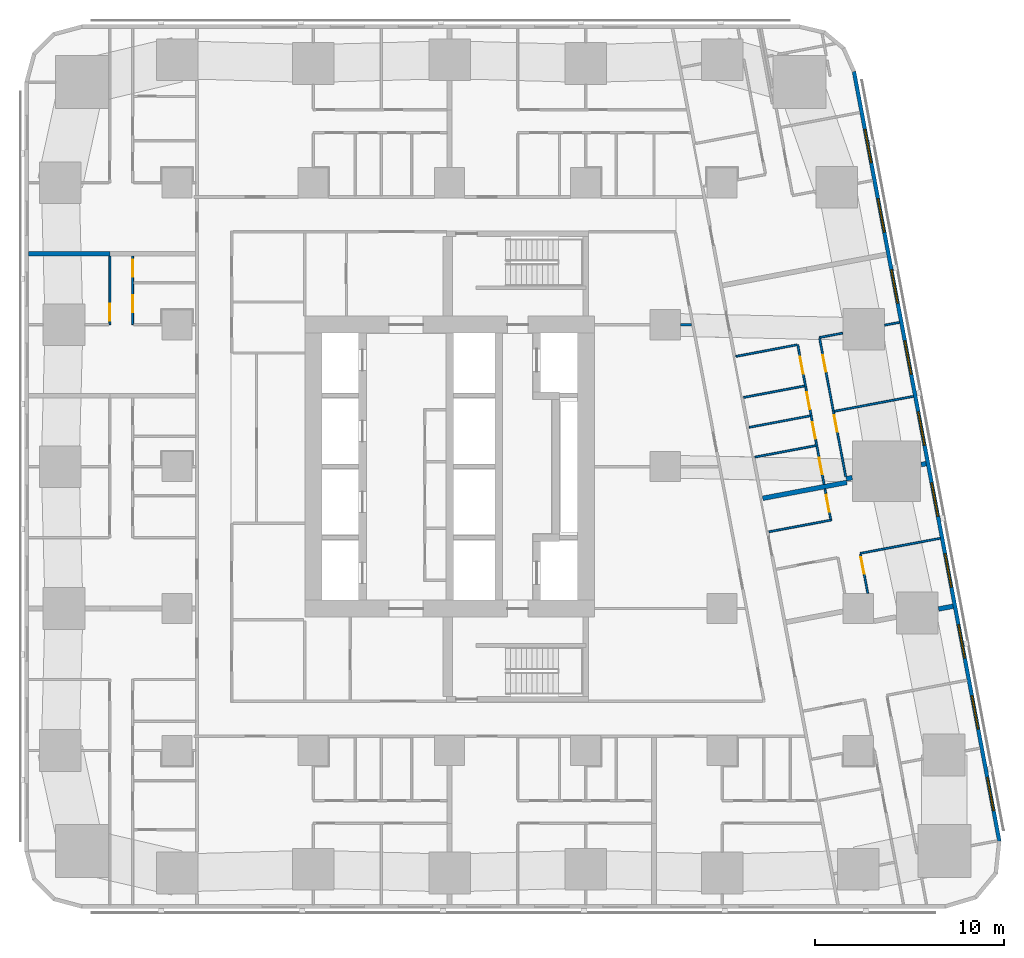
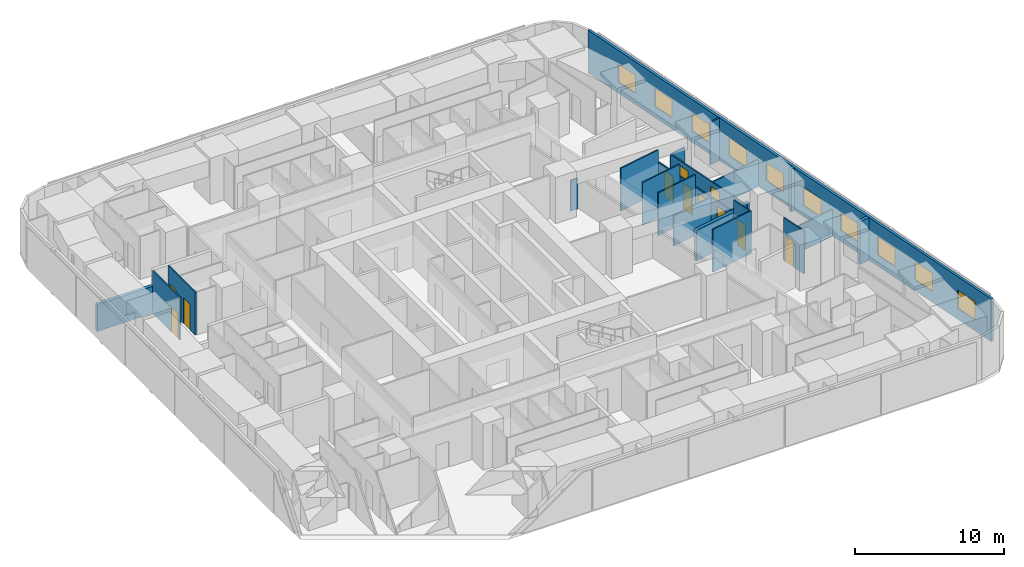
# One storey, part 7 of 15: 22 walls, 11 doors, 10 windows, 21 openings.
"""IFC4 building model written with IfcOpenShell, lengths in metres."""

from ifc_helpers import new_model, si_unit, direction, frame, frame_2d, origin, place, context, subcontext, project, spatial, rectangle, extrude, material, layer, layer_set, type_object, element, fill, save


model = new_model("IFC4")

# Units and contexts
model_context = context("Model", 3, precision=1e-05, world=origin(), true_north=direction((0.0, 1.0)))
body_context = subcontext(model_context, "Body", "Model", "MODEL_VIEW")
ifc_project = project(units=[si_unit("LENGTHUNIT", "METRE"), si_unit("AREAUNIT", "SQUARE_METRE"), si_unit("VOLUMEUNIT", "CUBIC_METRE"), si_unit("PLANEANGLEUNIT", "RADIAN"), si_unit("MASSUNIT", "GRAM", prefix="KILO")], contexts=[model_context])

# Site, building, storey
site_placement = place(None, origin())
site = spatial("IfcSite", under=ifc_project, at=site_placement, CompositionType="ELEMENT")
building_placement = place(site_placement, origin())
building = spatial("IfcBuilding", under=site, at=building_placement, Name="Sheger Commons Tower", CompositionType="ELEMENT")
storey_placement = place(building_placement, frame((0.0, 0.0, 104.14990234375)))
storey = spatial("IfcBuildingStorey", under=building, at=storey_placement, Name="L26", CompositionType="ELEMENT", Elevation=104.14990234375)

# Walls
ifc_material_1 = material(Name="Dense concrete block masonry, plastered both sides (separating wall between flats)", Category="masonry")
ifc_layer_1 = layer(ifc_material_1, 0.25)
ifc_layer_set_1 = layer_set([ifc_layer_1], Name="DEMISING WALL 250")
wall_type_1 = type_object("IfcWallType", Name="DEMISING WALL 250", PredefinedType="SOLIDWALL", material=ifc_layer_set_1)
wall_1_placement = place(storey_placement, frame((-0.64990234375, 33.75, 0.0), z_axis=(0.0, 0.0, 1.0), x_axis=(1.0, 0.0, 0.0)))
element("IfcWall", 1, at=wall_1_placement, inside=storey, type_object=wall_type_1, Name="Demising wall L26", PredefinedType="SOLIDWALL", context=body_context, shape_type="SweptSolid", body=[
    extrude(rectangle(XDim=4.2998046875, YDim=0.25, at=frame_2d((2.14990234375, 0.0))), origin(), (0.0, 0.0, 1.0), 2.2001953125),
])
wall_2_placement = place(storey_placement, frame((46.781982421875, 22.656982421875, 0.0), z_axis=(0.0, 0.0, 1.0), x_axis=(-0.982104607121, -0.188336243648, 0.0)))
element("IfcWall", 2, at=wall_2_placement, inside=storey, type_object=wall_type_1, Name="Demising wall L26", PredefinedType="SOLIDWALL", context=body_context, shape_type="SweptSolid", body=[
    extrude(rectangle(XDim=0.265625, YDim=0.25, at=frame_2d((0.1328125, 0.0))), origin(), (0.0, 0.0, 1.0), 3.5),
])
wall_3_placement = place(storey_placement, frame((42.873046875, 21.91796875, 0.0), z_axis=(0.0, 0.0, 1.0), x_axis=(-0.982431406936, -0.186624035603, 0.0)))
element("IfcWall", 3, at=wall_3_placement, inside=storey, type_object=wall_type_1, Name="Demising wall L26", PredefinedType="SOLIDWALL", context=body_context, shape_type="SweptSolid", body=[
    extrude(rectangle(XDim=0.32177734375, YDim=0.25, at=frame_2d((0.160888671875, 0.0))), origin(), (0.0, 0.0, 1.0), 2.5),
])
wall_4_placement = place(storey_placement, frame((42.593017578125, 21.6650390625, 0.0), z_axis=(0.0, 0.0, 1.0), x_axis=(-0.982612837616, -0.185666398014, 0.0)))
element("IfcWall", 4, at=wall_4_placement, inside=storey, type_object=wall_type_1, Name="Demising wall L26", PredefinedType="SOLIDWALL", context=body_context, shape_type="SweptSolid", body=[
    extrude(rectangle(XDim=4.524658203125, YDim=0.25, at=frame_2d((2.26220703125, 0.0))), origin(), (0.0, 0.0, 1.0), 2.5),
])
wall_5_placement = place(storey_placement, frame((48.2060546875, 15.1201171875, 0.0), z_axis=(0.0, 0.0, 1.0), x_axis=(-0.982638023929, -0.185533053469, 0.0)))
element("IfcWall", 5, at=wall_5_placement, inside=storey, type_object=wall_type_1, Name="Demising wall L26", PredefinedType="SOLIDWALL", context=body_context, shape_type="SweptSolid", body=[
    extrude(rectangle(XDim=0.78173828125, YDim=0.25, at=frame_2d((0.390869140625, 0.0))), origin(), (0.0, 0.0, 1.0), 3.5),
])

# Wall, openings, windows
ifc_material_2 = material(Name="Rendered concrete block masonry, dark grey", Category="masonry")
ifc_layer_2 = layer(ifc_material_2, 0.199951171875)
ifc_layer_set_2 = layer_set([ifc_layer_2], Name="FACADE WALL 200")
wall_type_2 = type_object("IfcWallType", Name="FACADE WALL 200", PredefinedType="SOLIDWALL", material=ifc_layer_set_2)
wall_6_placement = place(storey_placement, frame((50.653076171875, 2.702880859375, 0.0), z_axis=(0.0, 0.0, 1.0), x_axis=(-0.185612026696, 0.982623109613, 0.0)))
wall_6 = element("IfcWall", 6, at=wall_6_placement, inside=storey, type_object=wall_type_2, Name="Facade wall L26", PredefinedType="SOLIDWALL", context=body_context, shape_type="SweptSolid", body=[
    extrude(rectangle(XDim=41.393310546875, YDim=0.199951171875, at=frame_2d((20.69677734375, 0.0))), origin(), (0.0, 0.0, 1.0), 3.5),
])
opening_1_placement = place(wall_6_placement, frame((1.633056640625, 0.0, 0.89990234375)))
opening_1 = element("IfcOpeningElement", 7, at=opening_1_placement, cuts=wall_6, Name="Opening W2", PredefinedType="OPENING", context=body_context, shape_type="SweptSolid", body=[
    extrude(rectangle(XDim=1.800048828125, YDim=1.5, at=frame_2d((0.89990234375, 0.75))), frame((0.0, 0.10986328125, 0.0), z_axis=(0.0, -1.0, 0.0), x_axis=(1.0, 0.0, 0.0)), (0.0, 0.0, 1.0), 0.219970703125),
])
opening_2_placement = place(wall_6_placement, frame((6.031982421875, 0.0, 0.89990234375)))
opening_2 = element("IfcOpeningElement", 8, at=opening_2_placement, cuts=wall_6, Name="Opening W2", PredefinedType="OPENING", context=body_context, shape_type="SweptSolid", body=[
    extrude(rectangle(XDim=1.800048828125, YDim=1.5, at=frame_2d((0.89990234375, 0.75))), frame((0.0, 0.10986328125, 0.0), z_axis=(0.0, -1.0, 0.0), x_axis=(1.0, 0.0, 0.0)), (0.0, 0.0, 1.0), 0.219970703125),
])
opening_3_placement = place(wall_6_placement, frame((9.847900390625, 0.0, 0.89990234375)))
opening_3 = element("IfcOpeningElement", 9, at=opening_3_placement, cuts=wall_6, Name="Opening W2", PredefinedType="OPENING", context=body_context, shape_type="SweptSolid", body=[
    extrude(rectangle(XDim=1.800048828125, YDim=1.5, at=frame_2d((0.89990234375, 0.75))), frame((0.0, 0.10986328125, 0.0), z_axis=(0.0, -1.0, 0.0), x_axis=(1.0, 0.0, 0.0)), (0.0, 0.0, 1.0), 0.219970703125),
])
opening_4_placement = place(wall_6_placement, frame((13.6640625, 0.0, 0.89990234375)))
opening_4 = element("IfcOpeningElement", 10, at=opening_4_placement, cuts=wall_6, Name="Opening W2", PredefinedType="OPENING", context=body_context, shape_type="SweptSolid", body=[
    extrude(rectangle(XDim=1.800048828125, YDim=1.5, at=frame_2d((0.89990234375, 0.75))), frame((0.0, 0.10986328125, 0.0), z_axis=(0.0, -1.0, 0.0), x_axis=(1.0, 0.0, 0.0)), (0.0, 0.0, 1.0), 0.219970703125),
])
opening_5_placement = place(wall_6_placement, frame((17.48095703125, 0.0, 0.89990234375)))
opening_5 = element("IfcOpeningElement", 11, at=opening_5_placement, cuts=wall_6, Name="Opening W2", PredefinedType="OPENING", context=body_context, shape_type="SweptSolid", body=[
    extrude(rectangle(XDim=1.800048828125, YDim=1.5, at=frame_2d((0.89990234375, 0.75))), frame((0.0, 0.10986328125, 0.0), z_axis=(0.0, -1.0, 0.0), x_axis=(1.0, 0.0, 0.0)), (0.0, 0.0, 1.0), 0.219970703125),
])
opening_6_placement = place(wall_6_placement, frame((21.297119140625, 0.0, 0.89990234375)))
opening_6 = element("IfcOpeningElement", 12, at=opening_6_placement, cuts=wall_6, Name="Opening W2", PredefinedType="OPENING", context=body_context, shape_type="SweptSolid", body=[
    extrude(rectangle(XDim=1.800048828125, YDim=1.5, at=frame_2d((0.89990234375, 0.75))), frame((0.0, 0.10986328125, 0.0), z_axis=(0.0, -1.0, 0.0), x_axis=(1.0, 0.0, 0.0)), (0.0, 0.0, 1.0), 0.219970703125),
])
opening_7_placement = place(wall_6_placement, frame((25.113037109375, 0.0, 0.89990234375)))
opening_7 = element("IfcOpeningElement", 13, at=opening_7_placement, cuts=wall_6, Name="Opening W2", PredefinedType="OPENING", context=body_context, shape_type="SweptSolid", body=[
    extrude(rectangle(XDim=1.800048828125, YDim=1.5, at=frame_2d((0.89990234375, 0.75))), frame((0.0, 0.10986328125, 0.0), z_axis=(0.0, -1.0, 0.0), x_axis=(1.0, 0.0, 0.0)), (0.0, 0.0, 1.0), 0.219970703125),
])
opening_8_placement = place(wall_6_placement, frame((28.929931640625, 0.0, 0.89990234375)))
opening_8 = element("IfcOpeningElement", 14, at=opening_8_placement, cuts=wall_6, Name="Opening W2", PredefinedType="OPENING", context=body_context, shape_type="SweptSolid", body=[
    extrude(rectangle(XDim=1.800048828125, YDim=1.5, at=frame_2d((0.89990234375, 0.75))), frame((0.0, 0.10986328125, 0.0), z_axis=(0.0, -1.0, 0.0), x_axis=(1.0, 0.0, 0.0)), (0.0, 0.0, 1.0), 0.219970703125),
])
opening_9_placement = place(wall_6_placement, frame((32.74609375, 0.0, 0.89990234375)))
opening_9 = element("IfcOpeningElement", 15, at=opening_9_placement, cuts=wall_6, Name="Opening W2", PredefinedType="OPENING", context=body_context, shape_type="SweptSolid", body=[
    extrude(rectangle(XDim=1.800048828125, YDim=1.5, at=frame_2d((0.89990234375, 0.75))), frame((0.0, 0.10986328125, 0.0), z_axis=(0.0, -1.0, 0.0), x_axis=(1.0, 0.0, 0.0)), (0.0, 0.0, 1.0), 0.219970703125),
])
opening_10_placement = place(wall_6_placement, frame((36.48095703125, 0.0, 0.89990234375)))
opening_10 = element("IfcOpeningElement", 16, at=opening_10_placement, cuts=wall_6, Name="Opening W2", PredefinedType="OPENING", context=body_context, shape_type="SweptSolid", body=[
    extrude(rectangle(XDim=1.800048828125, YDim=1.5, at=frame_2d((0.89990234375, 0.75))), frame((0.0, 0.10986328125, 0.0), z_axis=(0.0, -1.0, 0.0), x_axis=(1.0, 0.0, 0.0)), (0.0, 0.0, 1.0), 0.219970703125),
])
ifc_material_3 = material(Name="Black aluminium frame, dark tinted double glazing", Category="aluminium")
window_type = type_object("IfcWindowType", Name="WINDOW W2 1800x1500", PartitioningType="SINGLE_PANEL", PredefinedType="WINDOW", material=ifc_material_3)
window_1_placement = place(opening_1_placement, origin())
window_1 = element("IfcWindow", 17, at=window_1_placement, inside=storey, type_object=window_type, Name="Window W2 1800X1500", OverallHeight=1.5, OverallWidth=1.800048828125, PartitioningType="SINGLE_PANEL", PredefinedType="WINDOW", context=body_context, shape_type="SweptSolid", body=[
    extrude(rectangle(XDim=1.800048828125, YDim=1.5, at=frame_2d((0.89990234375, 0.75))), frame((0.0, 0.030029296875, 0.0), z_axis=(0.0, -1.0, 0.0), x_axis=(1.0, 0.0, 0.0)), (0.0, 0.0, 1.0), 0.06005859375),
])
fill(opening_1, window_1)
window_2_placement = place(opening_2_placement, origin())
window_2 = element("IfcWindow", 18, at=window_2_placement, inside=storey, type_object=window_type, Name="Window W2 1800X1500", OverallHeight=1.5, OverallWidth=1.800048828125, PartitioningType="SINGLE_PANEL", PredefinedType="WINDOW", context=body_context, shape_type="SweptSolid", body=[
    extrude(rectangle(XDim=1.800048828125, YDim=1.5, at=frame_2d((0.89990234375, 0.75))), frame((0.0, 0.030029296875, 0.0), z_axis=(0.0, -1.0, 0.0), x_axis=(1.0, 0.0, 0.0)), (0.0, 0.0, 1.0), 0.06005859375),
])
fill(opening_2, window_2)
window_3_placement = place(opening_3_placement, origin())
window_3 = element("IfcWindow", 19, at=window_3_placement, inside=storey, type_object=window_type, Name="Window W2 1800X1500", OverallHeight=1.5, OverallWidth=1.800048828125, PartitioningType="SINGLE_PANEL", PredefinedType="WINDOW", context=body_context, shape_type="SweptSolid", body=[
    extrude(rectangle(XDim=1.800048828125, YDim=1.5, at=frame_2d((0.89990234375, 0.75))), frame((0.0, 0.030029296875, 0.0), z_axis=(0.0, -1.0, 0.0), x_axis=(1.0, 0.0, 0.0)), (0.0, 0.0, 1.0), 0.06005859375),
])
fill(opening_3, window_3)
window_4_placement = place(opening_4_placement, origin())
window_4 = element("IfcWindow", 20, at=window_4_placement, inside=storey, type_object=window_type, Name="Window W2 1800X1500", OverallHeight=1.5, OverallWidth=1.800048828125, PartitioningType="SINGLE_PANEL", PredefinedType="WINDOW", context=body_context, shape_type="SweptSolid", body=[
    extrude(rectangle(XDim=1.800048828125, YDim=1.5, at=frame_2d((0.89990234375, 0.75))), frame((0.0, 0.030029296875, 0.0), z_axis=(0.0, -1.0, 0.0), x_axis=(1.0, 0.0, 0.0)), (0.0, 0.0, 1.0), 0.06005859375),
])
fill(opening_4, window_4)
window_5_placement = place(opening_5_placement, origin())
window_5 = element("IfcWindow", 21, at=window_5_placement, inside=storey, type_object=window_type, Name="Window W2 1800X1500", OverallHeight=1.5, OverallWidth=1.800048828125, PartitioningType="SINGLE_PANEL", PredefinedType="WINDOW", context=body_context, shape_type="SweptSolid", body=[
    extrude(rectangle(XDim=1.800048828125, YDim=1.5, at=frame_2d((0.89990234375, 0.75))), frame((0.0, 0.030029296875, 0.0), z_axis=(0.0, -1.0, 0.0), x_axis=(1.0, 0.0, 0.0)), (0.0, 0.0, 1.0), 0.06005859375),
])
fill(opening_5, window_5)
window_6_placement = place(opening_6_placement, origin())
window_6 = element("IfcWindow", 22, at=window_6_placement, inside=storey, type_object=window_type, Name="Window W2 1800X1500", OverallHeight=1.5, OverallWidth=1.800048828125, PartitioningType="SINGLE_PANEL", PredefinedType="WINDOW", context=body_context, shape_type="SweptSolid", body=[
    extrude(rectangle(XDim=1.800048828125, YDim=1.5, at=frame_2d((0.89990234375, 0.75))), frame((0.0, 0.030029296875, 0.0), z_axis=(0.0, -1.0, 0.0), x_axis=(1.0, 0.0, 0.0)), (0.0, 0.0, 1.0), 0.06005859375),
])
fill(opening_6, window_6)
window_7_placement = place(opening_7_placement, origin())
window_7 = element("IfcWindow", 23, at=window_7_placement, inside=storey, type_object=window_type, Name="Window W2 1800X1500", OverallHeight=1.5, OverallWidth=1.800048828125, PartitioningType="SINGLE_PANEL", PredefinedType="WINDOW", context=body_context, shape_type="SweptSolid", body=[
    extrude(rectangle(XDim=1.800048828125, YDim=1.5, at=frame_2d((0.89990234375, 0.75))), frame((0.0, 0.030029296875, 0.0), z_axis=(0.0, -1.0, 0.0), x_axis=(1.0, 0.0, 0.0)), (0.0, 0.0, 1.0), 0.06005859375),
])
fill(opening_7, window_7)
window_8_placement = place(opening_8_placement, origin())
window_8 = element("IfcWindow", 24, at=window_8_placement, inside=storey, type_object=window_type, Name="Window W2 1800X1500", OverallHeight=1.5, OverallWidth=1.800048828125, PartitioningType="SINGLE_PANEL", PredefinedType="WINDOW", context=body_context, shape_type="SweptSolid", body=[
    extrude(rectangle(XDim=1.800048828125, YDim=1.5, at=frame_2d((0.89990234375, 0.75))), frame((0.0, 0.030029296875, 0.0), z_axis=(0.0, -1.0, 0.0), x_axis=(1.0, 0.0, 0.0)), (0.0, 0.0, 1.0), 0.06005859375),
])
fill(opening_8, window_8)
window_9_placement = place(opening_9_placement, origin())
window_9 = element("IfcWindow", 25, at=window_9_placement, inside=storey, type_object=window_type, Name="Window W2 1800X1500", OverallHeight=1.5, OverallWidth=1.800048828125, PartitioningType="SINGLE_PANEL", PredefinedType="WINDOW", context=body_context, shape_type="SweptSolid", body=[
    extrude(rectangle(XDim=1.800048828125, YDim=1.5, at=frame_2d((0.89990234375, 0.75))), frame((0.0, 0.030029296875, 0.0), z_axis=(0.0, -1.0, 0.0), x_axis=(1.0, 0.0, 0.0)), (0.0, 0.0, 1.0), 0.06005859375),
])
fill(opening_9, window_9)
window_10_placement = place(opening_10_placement, origin())
window_10 = element("IfcWindow", 26, at=window_10_placement, inside=storey, type_object=window_type, Name="Window W2 1800X1500", OverallHeight=1.5, OverallWidth=1.800048828125, PartitioningType="SINGLE_PANEL", PredefinedType="WINDOW", context=body_context, shape_type="SweptSolid", body=[
    extrude(rectangle(XDim=1.800048828125, YDim=1.5, at=frame_2d((0.89990234375, 0.75))), frame((0.0, 0.030029296875, 0.0), z_axis=(0.0, -1.0, 0.0), x_axis=(1.0, 0.0, 0.0)), (0.0, 0.0, 1.0), 0.06005859375),
])
fill(opening_10, window_10)

# Wall, opening, door
ifc_material_4 = material(Name="Gypsum board on steel studs", Category="steel")
ifc_layer_3 = layer(ifc_material_4, 0.10009765625)
ifc_layer_set_3 = layer_set([ifc_layer_3], Name="PARTITION 100")
wall_type_3 = type_object("IfcWallType", Name="PARTITION 100", PredefinedType="PARTITIONING", material=ifc_layer_set_3)
wall_7_placement = place(storey_placement, frame((3.64990234375, 30.0, 0.0), z_axis=(0.0, 0.0, 1.0), x_axis=(0.0, 1.0, 0.0)))
wall_7 = element("IfcWall", 27, at=wall_7_placement, inside=storey, type_object=wall_type_3, Name="Partition L26", PredefinedType="PARTITIONING", context=body_context, shape_type="SweptSolid", body=[
    extrude(rectangle(XDim=3.625, YDim=0.10009765625, at=frame_2d((1.8125, 0.0))), origin(), (0.0, 0.0, 1.0), 3.5),
])
opening_11_placement = place(wall_7_placement, frame((0.199951171875, 0.0, 0.0)))
opening_11 = element("IfcOpeningElement", 28, at=opening_11_placement, cuts=wall_7, Name="Opening D2", PredefinedType="OPENING", context=body_context, shape_type="SweptSolid", body=[
    extrude(rectangle(XDim=0.89990234375, YDim=2.10009765625, at=frame_2d((0.449951171875, 1.050048828125))), frame((0.0, 0.06005859375, 0.0), z_axis=(0.0, -1.0, 0.0), x_axis=(1.0, 0.0, 0.0)), (0.0, 0.0, 1.0), 0.1201171875),
])
ifc_material_5 = material(Name="Timber door set", Category="wood")
door_type = type_object("IfcDoorType", Name="INTERNAL DOOR 900x2100", OperationType="NOTDEFINED", PredefinedType="DOOR", material=ifc_material_5)
door_1_placement = place(opening_11_placement, origin())
door_1 = element("IfcDoor", 29, at=door_1_placement, inside=storey, type_object=door_type, Name="Main bedroom door", OperationType="SINGLE_SWING_LEFT", OverallHeight=2.10009765625, OverallWidth=0.89990234375, PredefinedType="DOOR", context=body_context, shape_type="SweptSolid", body=[
    extrude(rectangle(XDim=0.89990234375, YDim=2.10009765625, at=frame_2d((0.449951171875, 1.050048828125))), frame((0.0, 0.02490234375, 0.0), z_axis=(0.0, -1.0, 0.0), x_axis=(1.0, 0.0, 0.0)), (0.0, 0.0, 1.0), 0.050048828125),
])
fill(opening_11, door_1)

# Wall, openings, doors
wall_8_placement = place(storey_placement, frame((4.85009765625, 30.0, 0.0), z_axis=(0.0, 0.0, 1.0), x_axis=(0.0, 1.0, 0.0)))
wall_8 = element("IfcWall", 30, at=wall_8_placement, inside=storey, type_object=wall_type_3, Name="Partition L26", PredefinedType="PARTITIONING", context=body_context, shape_type="SweptSolid", body=[
    extrude(rectangle(XDim=3.625, YDim=0.10009765625, at=frame_2d((1.8125, 0.0))), origin(), (0.0, 0.0, 1.0), 3.5),
])
opening_12_placement = place(wall_8_placement, frame((0.655029296875, 0.0, 0.0)))
opening_12 = element("IfcOpeningElement", 31, at=opening_12_placement, cuts=wall_8, Name="Opening D2", PredefinedType="OPENING", context=body_context, shape_type="SweptSolid", body=[
    extrude(rectangle(XDim=0.89990234375, YDim=2.10009765625, at=frame_2d((0.449951171875, 1.050048828125))), frame((0.0, 0.06005859375, 0.0), z_axis=(0.0, -1.0, 0.0), x_axis=(1.0, 0.0, 0.0)), (0.0, 0.0, 1.0), 0.1201171875),
])
opening_13_placement = place(wall_8_placement, frame((2.530029296875, 0.0, 0.0)))
opening_13 = element("IfcOpeningElement", 32, at=opening_13_placement, cuts=wall_8, Name="Opening D2", PredefinedType="OPENING", context=body_context, shape_type="SweptSolid", body=[
    extrude(rectangle(XDim=0.89990234375, YDim=2.10009765625, at=frame_2d((0.449951171875, 1.050048828125))), frame((0.0, 0.06005859375, 0.0), z_axis=(0.0, -1.0, 0.0), x_axis=(1.0, 0.0, 0.0)), (0.0, 0.0, 1.0), 0.1201171875),
])
door_2_placement = place(opening_12_placement, origin())
door_2 = element("IfcDoor", 33, at=door_2_placement, inside=storey, type_object=door_type, Name="Bathroom door", OperationType="SINGLE_SWING_RIGHT", OverallHeight=2.10009765625, OverallWidth=0.89990234375, PredefinedType="DOOR", context=body_context, shape_type="SweptSolid", body=[
    extrude(rectangle(XDim=0.89990234375, YDim=2.10009765625, at=frame_2d((0.449951171875, 1.050048828125))), frame((0.0, 0.02490234375, 0.0), z_axis=(0.0, -1.0, 0.0), x_axis=(1.0, 0.0, 0.0)), (0.0, 0.0, 1.0), 0.050048828125),
])
fill(opening_12, door_2)
door_3_placement = place(opening_13_placement, origin())
door_3 = element("IfcDoor", 34, at=door_3_placement, inside=storey, type_object=door_type, Name="Store door", OperationType="SINGLE_SWING_LEFT", OverallHeight=2.10009765625, OverallWidth=0.89990234375, PredefinedType="DOOR", context=body_context, shape_type="SweptSolid", body=[
    extrude(rectangle(XDim=0.89990234375, YDim=2.10009765625, at=frame_2d((0.449951171875, 1.050048828125))), frame((0.0, 0.02490234375, 0.0), z_axis=(0.0, -1.0, 0.0), x_axis=(1.0, 0.0, 0.0)), (0.0, 0.0, 1.0), 0.050048828125),
])
fill(opening_13, door_3)

wall_9_placement = place(storey_placement, frame((41.156982421875, 29.27294921875, 0.0), z_axis=(0.0, 0.0, 1.0), x_axis=(0.18542464283, -0.982658486877, 0.0)))
wall_9 = element("IfcWall", 35, at=wall_9_placement, inside=storey, type_object=wall_type_3, Name="Partition L26", PredefinedType="PARTITIONING", context=body_context, shape_type="SweptSolid", body=[
    extrude(rectangle(XDim=7.420654296875, YDim=0.10009765625, at=frame_2d((3.71044921875, 0.0))), origin(), (0.0, 0.0, 1.0), 2.5),
])
opening_14_placement = place(wall_9_placement, frame((0.89990234375, 0.0, 0.0)))
opening_14 = element("IfcOpeningElement", 36, at=opening_14_placement, cuts=wall_9, Name="Opening D2", PredefinedType="OPENING", context=body_context, shape_type="SweptSolid", body=[
    extrude(rectangle(XDim=0.89990234375, YDim=2.10009765625, at=frame_2d((0.449951171875, 1.050048828125))), frame((0.0, 0.06005859375, 0.0), z_axis=(0.0, -1.0, 0.0), x_axis=(1.0, 0.0, 0.0)), (0.0, 0.0, 1.0), 0.1201171875),
])
opening_15_placement = place(wall_9_placement, frame((4.1259765625, 0.0, 0.0)))
opening_15 = element("IfcOpeningElement", 37, at=opening_15_placement, cuts=wall_9, Name="Opening D2", PredefinedType="OPENING", context=body_context, shape_type="SweptSolid", body=[
    extrude(rectangle(XDim=0.89990234375, YDim=2.10009765625, at=frame_2d((0.449951171875, 1.050048828125))), frame((0.0, 0.06005859375, 0.0), z_axis=(0.0, -1.0, 0.0), x_axis=(1.0, 0.0, 0.0)), (0.0, 0.0, 1.0), 0.1201171875),
])
door_4_placement = place(opening_14_placement, origin())
door_4 = element("IfcDoor", 38, at=door_4_placement, inside=storey, type_object=door_type, Name="Main bedroom door", OperationType="SINGLE_SWING_LEFT", OverallHeight=2.10009765625, OverallWidth=0.89990234375, PredefinedType="DOOR", context=body_context, shape_type="SweptSolid", body=[
    extrude(rectangle(XDim=0.89990234375, YDim=2.10009765625, at=frame_2d((0.449951171875, 1.050048828125))), frame((0.0, 0.02490234375, 0.0), z_axis=(0.0, -1.0, 0.0), x_axis=(1.0, 0.0, 0.0)), (0.0, 0.0, 1.0), 0.050048828125),
])
fill(opening_14, door_4)
door_5_placement = place(opening_15_placement, origin())
door_5 = element("IfcDoor", 39, at=door_5_placement, inside=storey, type_object=door_type, Name="Bedroom 2 door", OperationType="SINGLE_SWING_LEFT", OverallHeight=2.10009765625, OverallWidth=0.89990234375, PredefinedType="DOOR", context=body_context, shape_type="SweptSolid", body=[
    extrude(rectangle(XDim=0.89990234375, YDim=2.10009765625, at=frame_2d((0.449951171875, 1.050048828125))), frame((0.0, 0.02490234375, 0.0), z_axis=(0.0, -1.0, 0.0), x_axis=(1.0, 0.0, 0.0)), (0.0, 0.0, 1.0), 0.050048828125),
])
fill(opening_15, door_5)

wall_10_placement = place(storey_placement, frame((39.9970703125, 28.94189453125, 0.0), z_axis=(0.0, 0.0, 1.0), x_axis=(0.185686318797, -0.982609073341, 0.0)))
wall_10 = element("IfcWall", 40, at=wall_10_placement, inside=storey, type_object=wall_type_3, Name="Partition L26", PredefinedType="PARTITIONING", context=body_context, shape_type="SweptSolid", body=[
    extrude(rectangle(XDim=7.507568359375, YDim=0.10009765625, at=frame_2d((3.75390625, 0.0))), origin(), (0.0, 0.0, 1.0), 2.5),
])
opening_16_placement = place(wall_10_placement, frame((0.655029296875, 0.0, 0.0)))
opening_16 = element("IfcOpeningElement", 41, at=opening_16_placement, cuts=wall_10, Name="Opening D2", PredefinedType="OPENING", context=body_context, shape_type="SweptSolid", body=[
    extrude(rectangle(XDim=0.89990234375, YDim=2.10009765625, at=frame_2d((0.449951171875, 1.050048828125))), frame((0.0, 0.06005859375, 0.0), z_axis=(0.0, -1.0, 0.0), x_axis=(1.0, 0.0, 0.0)), (0.0, 0.0, 1.0), 0.1201171875),
])
opening_17_placement = place(wall_10_placement, frame((4.166015625, 0.0, 0.0)))
opening_17 = element("IfcOpeningElement", 42, at=opening_17_placement, cuts=wall_10, Name="Opening D2", PredefinedType="OPENING", context=body_context, shape_type="SweptSolid", body=[
    extrude(rectangle(XDim=0.89990234375, YDim=2.10009765625, at=frame_2d((0.449951171875, 1.050048828125))), frame((0.0, 0.06005859375, 0.0), z_axis=(0.0, -1.0, 0.0), x_axis=(1.0, 0.0, 0.0)), (0.0, 0.0, 1.0), 0.1201171875),
])
opening_18_placement = place(wall_10_placement, frame((2.56298828125, 0.0, 0.0)))
opening_18 = element("IfcOpeningElement", 43, at=opening_18_placement, cuts=wall_10, Name="Opening D2", PredefinedType="OPENING", context=body_context, shape_type="SweptSolid", body=[
    extrude(rectangle(XDim=0.89990234375, YDim=2.10009765625, at=frame_2d((0.449951171875, 1.050048828125))), frame((0.0, 0.06005859375, 0.0), z_axis=(0.0, -1.0, 0.0), x_axis=(1.0, 0.0, 0.0)), (0.0, 0.0, 1.0), 0.1201171875),
])
opening_19_placement = place(wall_10_placement, frame((6.073974609375, 0.0, 0.0)))
opening_19 = element("IfcOpeningElement", 44, at=opening_19_placement, cuts=wall_10, Name="Opening D2", PredefinedType="OPENING", context=body_context, shape_type="SweptSolid", body=[
    extrude(rectangle(XDim=0.89990234375, YDim=2.10009765625, at=frame_2d((0.449951171875, 1.050048828125))), frame((0.0, 0.06005859375, 0.0), z_axis=(0.0, -1.0, 0.0), x_axis=(1.0, 0.0, 0.0)), (0.0, 0.0, 1.0), 0.1201171875),
])
door_6_placement = place(opening_16_placement, origin())
door_6 = element("IfcDoor", 45, at=door_6_placement, inside=storey, type_object=door_type, Name="Bathroom door", OperationType="SINGLE_SWING_RIGHT", OverallHeight=2.10009765625, OverallWidth=0.89990234375, PredefinedType="DOOR", context=body_context, shape_type="SweptSolid", body=[
    extrude(rectangle(XDim=0.89990234375, YDim=2.10009765625, at=frame_2d((0.449951171875, 1.050048828125))), frame((0.0, 0.02490234375, 0.0), z_axis=(0.0, -1.0, 0.0), x_axis=(1.0, 0.0, 0.0)), (0.0, 0.0, 1.0), 0.050048828125),
])
fill(opening_16, door_6)
door_7_placement = place(opening_17_placement, origin())
door_7 = element("IfcDoor", 46, at=door_7_placement, inside=storey, type_object=door_type, Name="Shower room door", OperationType="SINGLE_SWING_LEFT", OverallHeight=2.10009765625, OverallWidth=0.89990234375, PredefinedType="DOOR", context=body_context, shape_type="SweptSolid", body=[
    extrude(rectangle(XDim=0.89990234375, YDim=2.10009765625, at=frame_2d((0.449951171875, 1.050048828125))), frame((0.0, 0.02490234375, 0.0), z_axis=(0.0, -1.0, 0.0), x_axis=(1.0, 0.0, 0.0)), (0.0, 0.0, 1.0), 0.050048828125),
])
fill(opening_17, door_7)
door_8_placement = place(opening_18_placement, origin())
door_8 = element("IfcDoor", 47, at=door_8_placement, inside=storey, type_object=door_type, Name="Store door", OperationType="SINGLE_SWING_LEFT", OverallHeight=2.10009765625, OverallWidth=0.89990234375, PredefinedType="DOOR", context=body_context, shape_type="SweptSolid", body=[
    extrude(rectangle(XDim=0.89990234375, YDim=2.10009765625, at=frame_2d((0.449951171875, 1.050048828125))), frame((0.0, 0.02490234375, 0.0), z_axis=(0.0, -1.0, 0.0), x_axis=(1.0, 0.0, 0.0)), (0.0, 0.0, 1.0), 0.050048828125),
])
fill(opening_18, door_8)
door_9_placement = place(opening_19_placement, origin())
door_9 = element("IfcDoor", 48, at=door_9_placement, inside=storey, type_object=door_type, Name="Store door", OperationType="SINGLE_SWING_LEFT", OverallHeight=2.10009765625, OverallWidth=0.89990234375, PredefinedType="DOOR", context=body_context, shape_type="SweptSolid", body=[
    extrude(rectangle(XDim=0.89990234375, YDim=2.10009765625, at=frame_2d((0.449951171875, 1.050048828125))), frame((0.0, 0.02490234375, 0.0), z_axis=(0.0, -1.0, 0.0), x_axis=(1.0, 0.0, 0.0)), (0.0, 0.0, 1.0), 0.050048828125),
])
fill(opening_19, door_9)

# Walls
wall_11_placement = place(storey_placement, frame((45.3720703125, 30.12109375, 0.0), z_axis=(0.0, 0.0, 1.0), x_axis=(-0.982512656401, -0.186195810938, 0.0)))
element("IfcWall", 49, at=wall_11_placement, inside=storey, type_object=wall_type_3, Name="Partition L26", PredefinedType="PARTITIONING", context=body_context, shape_type="SweptSolid", body=[
    extrude(rectangle(XDim=0.7958984375, YDim=0.10009765625, at=frame_2d((0.39794921875, 0.0))), origin(), (0.0, 0.0, 1.0), 3.5),
])
wall_12_placement = place(storey_placement, frame((42.3701171875, 29.552978515625, 0.0), z_axis=(0.0, 0.0, 1.0), x_axis=(-0.98263602344, -0.185543648338, 0.0)))
element("IfcWall", 50, at=wall_12_placement, inside=storey, type_object=wall_type_3, Name="Partition L26", PredefinedType="PARTITIONING", context=body_context, shape_type="SweptSolid", body=[
    extrude(rectangle(XDim=1.244873046875, YDim=0.10009765625, at=frame_2d((0.62255859375, 0.0))), origin(), (0.0, 0.0, 1.0), 2.5),
])
wall_13_placement = place(storey_placement, frame((46.110107421875, 26.212890625, 0.0), z_axis=(0.0, 0.0, 1.0), x_axis=(-0.982623519589, -0.185609856287, 0.0)))
element("IfcWall", 51, at=wall_13_placement, inside=storey, type_object=wall_type_3, Name="Partition L26", PredefinedType="PARTITIONING", context=body_context, shape_type="SweptSolid", body=[
    extrude(rectangle(XDim=4.249755859375, YDim=0.10009765625, at=frame_2d((2.125, 0.0))), origin(), (0.0, 0.0, 1.0), 2.2001953125),
])
wall_14_placement = place(storey_placement, frame((39.947998046875, 28.93310546875, 0.0), z_axis=(0.0, 0.0, 1.0), x_axis=(-0.982542259571, -0.186039533857, 0.0)))
element("IfcWall", 52, at=wall_14_placement, inside=storey, type_object=wall_type_3, Name="Partition L26", PredefinedType="PARTITIONING", context=body_context, shape_type="SweptSolid", body=[
    extrude(rectangle(XDim=3.274169921875, YDim=0.10009765625, at=frame_2d((1.63720703125, 0.0))), origin(), (0.0, 0.0, 1.0), 3.5),
])
wall_15_placement = place(storey_placement, frame((40.656005859375, 25.18310546875, 0.0), z_axis=(0.0, 0.0, 1.0), x_axis=(-0.982596739811, -0.18575157311, 0.0)))
element("IfcWall", 53, at=wall_15_placement, inside=storey, type_object=wall_type_3, Name="Partition L26", PredefinedType="PARTITIONING", context=body_context, shape_type="SweptSolid", body=[
    extrude(rectangle(XDim=3.27392578125, YDim=0.10009765625, at=frame_2d((1.636962890625, 0.0))), origin(), (0.0, 0.0, 1.0), 3.5),
])
wall_16_placement = place(storey_placement, frame((40.35791015625, 26.760986328125, 0.0), z_axis=(0.0, 0.0, 1.0), x_axis=(-0.982607776398, -0.185693181787, 0.0)))
element("IfcWall", 54, at=wall_16_placement, inside=storey, type_object=wall_type_3, Name="Partition L26", PredefinedType="PARTITIONING", context=body_context, shape_type="SweptSolid", body=[
    extrude(rectangle(XDim=3.273681640625, YDim=0.10009765625, at=frame_2d((1.63671875, 0.0))), origin(), (0.0, 0.0, 1.0), 3.5),
])
wall_17_placement = place(storey_placement, frame((40.9541015625, 23.610107421875, 0.0), z_axis=(0.0, 0.0, 1.0), x_axis=(-0.982661397469, -0.185409217473, 0.0)))
element("IfcWall", 55, at=wall_17_placement, inside=storey, type_object=wall_type_3, Name="Partition L26", PredefinedType="PARTITIONING", context=body_context, shape_type="SweptSolid", body=[
    extrude(rectangle(XDim=3.27490234375, YDim=0.10009765625, at=frame_2d((1.637451171875, 0.0))), origin(), (0.0, 0.0, 1.0), 2.5),
])

# Wall, opening, door
wall_18_placement = place(storey_placement, frame((41.43701171875, 21.319091796875, 0.0), z_axis=(0.0, 0.0, 1.0), x_axis=(0.185793689589, -0.982588777113, 0.0)))
wall_18 = element("IfcWall", 56, at=wall_18_placement, inside=storey, type_object=wall_type_3, Name="Partition L26", PredefinedType="PARTITIONING", context=body_context, shape_type="SweptSolid", body=[
    extrude(rectangle(XDim=1.62548828125, YDim=0.10009765625, at=frame_2d((0.812744140625, 0.0))), origin(), (0.0, 0.0, 1.0), 3.5),
])
opening_20_placement = place(wall_18_placement, frame((0.324951171875, 0.0, 0.0)))
opening_20 = element("IfcOpeningElement", 57, at=opening_20_placement, cuts=wall_18, Name="Opening D2", PredefinedType="OPENING", context=body_context, shape_type="SweptSolid", body=[
    extrude(rectangle(XDim=0.89990234375, YDim=2.10009765625, at=frame_2d((0.449951171875, 1.050048828125))), frame((0.0, 0.06005859375, 0.0), z_axis=(0.0, -1.0, 0.0), x_axis=(1.0, 0.0, 0.0)), (0.0, 0.0, 1.0), 0.1201171875),
])
door_10_placement = place(opening_20_placement, origin())
door_10 = element("IfcDoor", 58, at=door_10_placement, inside=storey, type_object=door_type, Name="Shower room door", OperationType="SINGLE_SWING_RIGHT", OverallHeight=2.10009765625, OverallWidth=0.89990234375, PredefinedType="DOOR", context=body_context, shape_type="SweptSolid", body=[
    extrude(rectangle(XDim=0.89990234375, YDim=2.10009765625, at=frame_2d((0.449951171875, 1.050048828125))), frame((0.0, 0.02490234375, 0.0), z_axis=(0.0, -1.0, 0.0), x_axis=(1.0, 0.0, 0.0)), (0.0, 0.0, 1.0), 0.050048828125),
])
fill(opening_20, door_10)

# Wall
wall_19_placement = place(storey_placement, frame((41.798095703125, 19.681884765625, 0.0), z_axis=(0.0, 0.0, 1.0), x_axis=(-0.982656183703, -0.185436848091, 0.0)))
element("IfcWall", 59, at=wall_19_placement, inside=storey, type_object=wall_type_3, Name="Partition L26", PredefinedType="PARTITIONING", context=body_context, shape_type="SweptSolid", body=[
    extrude(rectangle(XDim=3.375732421875, YDim=0.10009765625, at=frame_2d((1.68798828125, 0.0))), origin(), (0.0, 0.0, 1.0), 3.5),
])

# Wall, opening, door
wall_20_placement = place(storey_placement, frame((43.31103515625, 17.864990234375, 0.0), z_axis=(0.0, 0.0, 1.0), x_axis=(0.185507827929, -0.982642786457, 0.0)))
wall_20 = element("IfcWall", 60, at=wall_20_placement, inside=storey, type_object=wall_type_3, Name="Partition L26", PredefinedType="PARTITIONING", context=body_context, shape_type="SweptSolid", body=[
    extrude(rectangle(XDim=2.09130859375, YDim=0.10009765625, at=frame_2d((1.045654296875, 0.0))), origin(), (0.0, 0.0, 1.0), 3.5),
])
opening_21_placement = place(wall_20_placement, frame((0.14990234375, 0.0, 0.0)))
opening_21 = element("IfcOpeningElement", 61, at=opening_21_placement, cuts=wall_20, Name="Opening D2", PredefinedType="OPENING", context=body_context, shape_type="SweptSolid", body=[
    extrude(rectangle(XDim=0.89990234375, YDim=2.10009765625, at=frame_2d((0.449951171875, 1.050048828125))), frame((0.0, 0.06005859375, 0.0), z_axis=(0.0, -1.0, 0.0), x_axis=(1.0, 0.0, 0.0)), (0.0, 0.0, 1.0), 0.1201171875),
])
door_11_placement = place(opening_21_placement, origin())
door_11 = element("IfcDoor", 62, at=door_11_placement, inside=storey, type_object=door_type, Name="Main bedroom door", OperationType="SINGLE_SWING_LEFT", OverallHeight=2.10009765625, OverallWidth=0.89990234375, PredefinedType="DOOR", context=body_context, shape_type="SweptSolid", body=[
    extrude(rectangle(XDim=0.89990234375, YDim=2.10009765625, at=frame_2d((0.449951171875, 1.050048828125))), frame((0.0, 0.02490234375, 0.0), z_axis=(0.0, -1.0, 0.0), x_axis=(1.0, 0.0, 0.0)), (0.0, 0.0, 1.0), 0.050048828125),
])
fill(opening_21, door_11)

# Walls
wall_21_placement = place(storey_placement, frame((47.527099609375, 18.7119140625, 0.0), z_axis=(0.0, 0.0, 1.0), x_axis=(-0.982633535512, -0.185556823879, 0.0)))
element("IfcWall", 63, at=wall_21_placement, inside=storey, type_object=wall_type_3, Name="Partition L26", PredefinedType="PARTITIONING", context=body_context, shape_type="SweptSolid", body=[
    extrude(rectangle(XDim=4.2998046875, YDim=0.10009765625, at=frame_2d((2.14990234375, 0.0))), origin(), (0.0, 0.0, 1.0), 2.2001953125),
])
ifc_material_6 = material(Name="Gypsum board on steel studs, two layers each side, fire rated", Category="steel")
ifc_layer_4 = layer(ifc_material_6, 0.125)
ifc_layer_set_4 = layer_set([ifc_layer_4], Name="SERVICE WALL 125")
wall_type_4 = type_object("IfcWallType", Name="SERVICE WALL 125", PredefinedType="PARTITIONING", material=ifc_layer_set_4)
wall_22_placement = place(storey_placement, frame((33.801025390625, 30.0, 0.0), z_axis=(0.0, 0.0, 1.0), x_axis=(1.0, 0.0, 0.0)))
element("IfcWall", 64, at=wall_22_placement, inside=storey, type_object=wall_type_4, Name="Service room wall L26", PredefinedType="PARTITIONING", context=body_context, shape_type="SweptSolid", body=[
    extrude(rectangle(XDim=0.577880859375, YDim=0.125, at=frame_2d((0.2890625, 0.0))), origin(), (0.0, 0.0, 1.0), 2.5),
])

save(model, "model.ifc")
